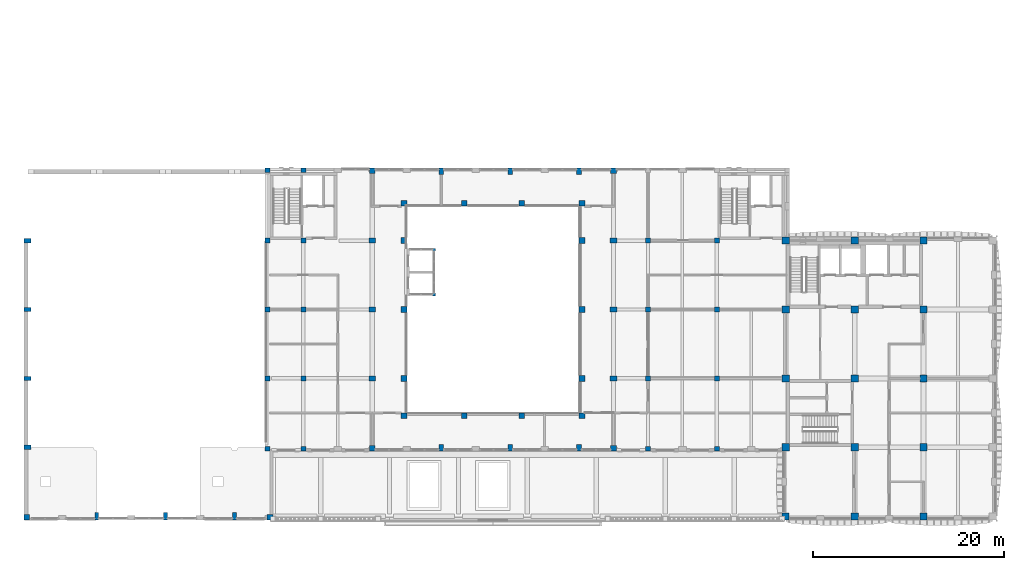
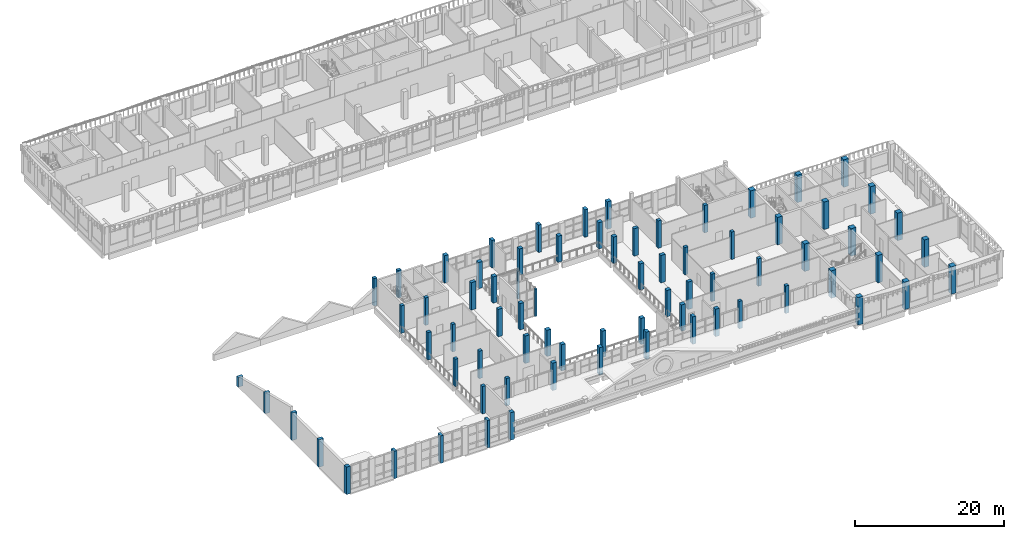
# One storey, part 1 of 58: 74 columns.
"""IFC4 building model written with IfcOpenShell, lengths in metres."""

from ifc_helpers import new_model, si_unit, direction, frame, origin, origin_2d, place, context, subcontext, project, spatial, rectangle, extrude, material, material_profile, profile_set, type_object, element, save


model = new_model("IFC4")

# Units and contexts
model_context = context("Model", 3, precision=1e-05, world=origin(), true_north=direction((0.0, 1.0)))
body_context = subcontext(model_context, "Body", "Model", "MODEL_VIEW")
ifc_project = project(units=[si_unit("LENGTHUNIT", "METRE"), si_unit("AREAUNIT", "SQUARE_METRE"), si_unit("VOLUMEUNIT", "CUBIC_METRE"), si_unit("PLANEANGLEUNIT", "RADIAN"), si_unit("MASSUNIT", "GRAM", prefix="KILO")], contexts=[model_context])

# Site, building, storey
site_placement = place(None, origin())
site = spatial("IfcSite", under=ifc_project, at=site_placement, CompositionType="ELEMENT")
building_placement = place(site_placement, origin())
building = spatial("IfcBuilding", under=site, at=building_placement, Name="Ussher Court Research Institute", CompositionType="ELEMENT")
storey_placement = place(building_placement, frame((0.0, 0.0, 9.89990234375)))
storey = spatial("IfcBuildingStorey", under=building, at=storey_placement, Name="L02", CompositionType="ELEMENT", Elevation=9.89990234375)

# Columns
ifc_material_1 = material(Name="Concrete C35/45", Category="concrete")
ifc_material_profile_1 = material_profile(ifc_material_1, rectangle(XDim=0.300048828125, YDim=0.300048828125, at=origin_2d()), Name="RC 300x300")
ifc_profile_set_1 = profile_set([ifc_material_profile_1], Name="Concrete C35/45")
column_type_1 = type_object("IfcColumnType", Name="Lift shaft corner column 300x300 RC", PredefinedType="COLUMN", material=ifc_profile_set_1)
for number, where, z_axis, x_axis, name in (
    (1, (45.449951171875, 27.14990234375, 0.0), (0.0, 0.0, 1.0), (1.0, 0.0, 0.0), "Lift shaft column atrium L02"),
    (2, (45.449951171875, 31.85009765625, 0.0), (0.0, 0.0, 1.0), (1.0, 0.0, 0.0), "Lift shaft column atrium L02"),
):
    element("IfcColumn", number, at=place(storey_placement, frame(where, z_axis=z_axis, x_axis=x_axis)), inside=storey, type_object=column_type_1, Name=name, PredefinedType="COLUMN", context=body_context, shape_type="SweptSolid", body=[
        extrude(rectangle(XDim=0.300048828125, YDim=0.300048828125, at=origin_2d()), origin(), (0.0, 0.0, 1.0), 4.5),
    ])
ifc_material_2 = material(Name="Concrete C35/45", Category="concrete")
ifc_material_profile_2 = material_profile(ifc_material_2, rectangle(XDim=0.39990234375, YDim=0.800048828125, at=origin_2d()), Name="RC 400x800")
ifc_profile_set_2 = profile_set([ifc_material_profile_2], Name="Concrete C35/45")
column_type_2 = type_object("IfcColumnType", Name="RC 400x800 column", PredefinedType="COLUMN", material=ifc_profile_set_2)
for number, where, z_axis, x_axis, name in (
    (3, (10.199951171875, 4.0, 0.0), (0.0, 0.0, 1.0), (1.0, 0.0, 0.0), "CF1 V1 L02-01"),
    (4, (17.39990234375, 4.0, 0.0), (0.0, 0.0, 1.0), (1.0, 0.0, 0.0), "CF1 V1 L02-02"),
    (5, (24.60009765625, 4.0, 0.0), (0.0, 0.0, 1.0), (1.0, 0.0, 0.0), "CF1 V1 L02-03"),
):
    element("IfcColumn", number, at=place(storey_placement, frame(where, z_axis=z_axis, x_axis=x_axis)), inside=storey, type_object=column_type_2, Name=name, PredefinedType="COLUMN", context=body_context, shape_type="SweptSolid", body=[
        extrude(rectangle(XDim=0.39990234375, YDim=0.800048828125, at=origin_2d()), origin(), (0.0, 0.0, 1.0), 4.5),
    ])
ifc_material_3 = material(Name="Concrete C35/45", Category="concrete")
ifc_material_profile_3 = material_profile(ifc_material_3, rectangle(XDim=0.5, YDim=0.5, at=origin_2d()), Name="RC 500x500")
ifc_profile_set_3 = profile_set([ifc_material_profile_3], Name="Concrete C35/45")
column_type_3 = type_object("IfcColumnType", Name="RC 500x500 column", PredefinedType="COLUMN", material=ifc_profile_set_3)
for number, where, z_axis, x_axis, name in (
    (6, (28.050048828125, 11.050048828125, 0.0), (0.0, 0.0, 1.0), (1.0, 0.0, 0.0), "C5 V7 L02-01"),
    (7, (28.050048828125, 18.39990234375, 0.0), (0.0, 0.0, 1.0), (1.0, 0.0, 0.0), "C5 V7 L02-02"),
    (8, (28.050048828125, 25.60009765625, 0.0), (0.0, 0.0, 1.0), (1.0, 0.0, 0.0), "C5 V7 L02-03"),
    (9, (28.050048828125, 32.800048828125, 0.0), (0.0, 0.0, 1.0), (1.0, 0.0, 0.0), "C5 V7 L02-04"),
    (10, (28.050048828125, 40.14990234375, 0.0), (0.0, 0.0, 1.0), (1.0, 0.0, 0.0), "C5 V7 L02-05"),
    (11, (31.800048828125, 11.050048828125, 0.0), (0.0, 0.0, 1.0), (1.0, 0.0, 0.0), "C5 V7 L02-06"),
    (12, (31.800048828125, 18.39990234375, 0.0), (0.0, 0.0, 1.0), (1.0, 0.0, 0.0), "C5 V7 L02-07"),
    (13, (31.800048828125, 25.60009765625, 0.0), (0.0, 0.0, 1.0), (1.0, 0.0, 0.0), "C5 V7 L02-08"),
    (14, (31.800048828125, 32.800048828125, 0.0), (0.0, 0.0, 1.0), (1.0, 0.0, 0.0), "C5 V7 L02-09"),
    (15, (31.800048828125, 40.14990234375, 0.0), (0.0, 0.0, 1.0), (1.0, 0.0, 0.0), "C5 V7 L02-10"),
    (16, (67.800048828125, 11.050048828125, 0.0), (0.0, 0.0, 1.0), (1.0, 0.0, 0.0), "C5 V7 L02-11"),
    (17, (67.800048828125, 18.39990234375, 0.0), (0.0, 0.0, 1.0), (1.0, 0.0, 0.0), "C5 V7 L02-12"),
    (18, (67.800048828125, 25.60009765625, 0.0), (0.0, 0.0, 1.0), (1.0, 0.0, 0.0), "C5 V7 L02-13"),
    (19, (67.800048828125, 32.800048828125, 0.0), (0.0, 0.0, 1.0), (1.0, 0.0, 0.0), "C5 V7 L02-14"),
    (20, (75.0, 11.050048828125, 0.0), (0.0, 0.0, 1.0), (1.0, 0.0, 0.0), "C5 V7 L02-16"),
    (21, (75.0, 18.39990234375, 0.0), (0.0, 0.0, 1.0), (1.0, 0.0, 0.0), "C5 V7 L02-17"),
    (22, (75.0, 25.60009765625, 0.0), (0.0, 0.0, 1.0), (1.0, 0.0, 0.0), "C5 V7 L02-18"),
    (23, (75.0, 32.800048828125, 0.0), (0.0, 0.0, 1.0), (1.0, 0.0, 0.0), "C5 V7 L02-19"),
):
    element("IfcColumn", number, at=place(storey_placement, frame(where, z_axis=z_axis, x_axis=x_axis)), inside=storey, type_object=column_type_3, Name=name, PredefinedType="COLUMN", context=body_context, shape_type="SweptSolid", body=[
        extrude(rectangle(XDim=0.5, YDim=0.5, at=origin_2d()), origin(), (0.0, 0.0, 1.0), 4.5),
    ])
ifc_material_4 = material(Name="Concrete C35/45", Category="concrete")
ifc_material_profile_4 = material_profile(ifc_material_4, rectangle(XDim=0.5, YDim=0.699951171875, at=origin_2d()), Name="RC 500x700")
ifc_profile_set_4 = profile_set([ifc_material_profile_4], Name="Concrete C35/45")
column_type_4 = type_object("IfcColumnType", Name="RC 500x700 column", PredefinedType="COLUMN", material=ifc_profile_set_4)
for number, where, z_axis, x_axis, name in (
    (24, (46.199951171875, 11.14990234375, 0.0), (0.0, 0.0, 1.0), (1.0, 0.0, 0.0), "CF2 V2 L02-01"),
    (25, (46.199951171875, 40.050048828125, 0.0), (0.0, 0.0, 1.0), (1.0, 0.0, 0.0), "CF2 V2 L02-02"),
    (26, (53.39990234375, 11.14990234375, 0.0), (0.0, 0.0, 1.0), (1.0, 0.0, 0.0), "CF2 V2 L02-03"),
    (27, (53.39990234375, 40.050048828125, 0.0), (0.0, 0.0, 1.0), (1.0, 0.0, 0.0), "CF2 V2 L02-04"),
    (28, (60.60009765625, 11.14990234375, 0.0), (0.0, 0.0, 1.0), (1.0, 0.0, 0.0), "CF2 V2 L02-05"),
    (29, (60.60009765625, 40.050048828125, 0.0), (0.0, 0.0, 1.0), (1.0, 0.0, 0.0), "CF2 V2 L02-06"),
):
    element("IfcColumn", number, at=place(storey_placement, frame(where, z_axis=z_axis, x_axis=x_axis)), inside=storey, type_object=column_type_4, Name=name, PredefinedType="COLUMN", context=body_context, shape_type="SweptSolid", body=[
        extrude(rectangle(XDim=0.5, YDim=0.699951171875, at=origin_2d()), origin(), (0.0, 0.0, 1.0), 4.5),
    ])
ifc_material_5 = material(Name="Concrete C35/45", Category="concrete")
ifc_material_profile_5 = material_profile(ifc_material_5, rectangle(XDim=0.60009765625, YDim=0.60009765625, at=origin_2d()), Name="RC 600x600")
ifc_profile_set_5 = profile_set([ifc_material_profile_5], Name="Concrete C35/45")
column_type_5 = type_object("IfcColumnType", Name="RC 600x600 column", PredefinedType="COLUMN", material=ifc_profile_set_5)
for number, where, z_axis, x_axis, name in (
    (30, (39.0, 11.10009765625, 0.0), (0.0, 0.0, 1.0), (1.0, 0.0, 0.0), "C6 V2 L02-01"),
    (31, (39.0, 40.10009765625, 0.0), (0.0, 0.0, 1.0), (1.0, 0.0, 0.0), "C6 V2 L02-02"),
    (32, (64.199951171875, 11.10009765625, 0.0), (0.0, 0.0, 1.0), (1.0, 0.0, 0.0), "C6 V2 L02-03"),
    (33, (64.199951171875, 40.10009765625, 0.0), (0.0, 0.0, 1.0), (1.0, 0.0, 0.0), "C6 V2 L02-04"),
):
    element("IfcColumn", number, at=place(storey_placement, frame(where, z_axis=z_axis, x_axis=x_axis)), inside=storey, type_object=column_type_5, Name=name, PredefinedType="COLUMN", context=body_context, shape_type="SweptSolid", body=[
        extrude(rectangle(XDim=0.60009765625, YDim=0.60009765625, at=origin_2d()), origin(), (0.0, 0.0, 1.0), 4.5),
    ])
for number, where, z_axis, x_axis, name in (
    (34, (42.300048828125, 14.5, 0.0), (0.0, 0.0, 1.0), (1.0, 0.0, 0.0), "C6 V2 L02-05"),
    (35, (42.300048828125, 18.39990234375, 0.0), (0.0, 0.0, 1.0), (1.0, 0.0, 0.0), "C6 V2 L02-06"),
    (36, (42.300048828125, 25.60009765625, 0.0), (0.0, 0.0, 1.0), (1.0, 0.0, 0.0), "C6 V2 L02-07"),
    (37, (42.300048828125, 32.800048828125, 0.0), (0.0, 0.0, 1.0), (1.0, 0.0, 0.0), "C6 V2 L02-08"),
    (38, (42.300048828125, 36.699951171875, 0.0), (0.0, 0.0, 1.0), (1.0, 0.0, 0.0), "C6 V2 L02-09"),
    (39, (60.89990234375, 14.5, 0.0), (0.0, 0.0, 1.0), (1.0, 0.0, 0.0), "C6 V2 L02-10"),
    (40, (60.89990234375, 18.39990234375, 0.0), (0.0, 0.0, 1.0), (1.0, 0.0, 0.0), "C6 V2 L02-11"),
    (41, (60.89990234375, 25.60009765625, 0.0), (0.0, 0.0, 1.0), (1.0, 0.0, 0.0), "C6 V2 L02-12"),
    (42, (60.89990234375, 32.800048828125, 0.0), (0.0, 0.0, 1.0), (1.0, 0.0, 0.0), "C6 V2 L02-13"),
    (43, (60.89990234375, 36.699951171875, 0.0), (0.0, 0.0, 1.0), (1.0, 0.0, 0.0), "C6 V2 L02-14"),
    (44, (48.60009765625, 14.5, 0.0), (0.0, 0.0, 1.0), (1.0, 0.0, 0.0), "C6 V2 L02-15"),
    (45, (54.60009765625, 14.5, 0.0), (0.0, 0.0, 1.0), (1.0, 0.0, 0.0), "C6 V2 L02-16"),
    (46, (48.60009765625, 36.699951171875, 0.0), (0.0, 0.0, 1.0), (1.0, 0.0, 0.0), "C6 V2 L02-17"),
    (47, (54.60009765625, 36.699951171875, 0.0), (0.0, 0.0, 1.0), (1.0, 0.0, 0.0), "C6 V2 L02-18"),
):
    element("IfcColumn", number, at=place(storey_placement, frame(where, z_axis=z_axis, x_axis=x_axis)), inside=storey, type_object=column_type_5, Name=name, PredefinedType="COLUMN", context=body_context, shape_type="SweptSolid", body=[
        extrude(rectangle(XDim=0.60009765625, YDim=0.60009765625, at=origin_2d()), origin(), (0.0, 0.0, 1.0), 4.300048828125),
    ])
for number, where, z_axis, x_axis, name in (
    (48, (2.89990234375, 3.89990234375, 0.0), (0.0, 0.0, 1.0), (1.0, 0.0, 0.0), "C6 V1 L02-01"),
    (49, (28.300048828125, 3.89990234375, 0.0), (0.0, 0.0, 1.0), (1.0, 0.0, 0.0), "C6 V1 L02-02"),
):
    element("IfcColumn", number, at=place(storey_placement, frame(where, z_axis=z_axis, x_axis=x_axis)), inside=storey, type_object=column_type_5, Name=name, PredefinedType="COLUMN", context=body_context, shape_type="SweptSolid", body=[
        extrude(rectangle(XDim=0.60009765625, YDim=0.60009765625, at=origin_2d()), origin(), (0.0, 0.0, 1.0), 4.5),
    ])
ifc_material_6 = material(Name="Concrete C35/45", Category="concrete")
ifc_material_profile_6 = material_profile(ifc_material_6, rectangle(XDim=0.699951171875, YDim=0.5, at=origin_2d()), Name="RC 700x500")
ifc_profile_set_6 = profile_set([ifc_material_profile_6], Name="Concrete C35/45")
column_type_6 = type_object("IfcColumnType", Name="RC 700x500 column", PredefinedType="COLUMN", material=ifc_profile_set_6)
for number, where, z_axis, x_axis, name in (
    (50, (39.0, 18.39990234375, 0.0), (0.0, 0.0, 1.0), (1.0, 0.0, 0.0), "CF3 V2 L02-01"),
    (51, (39.0, 25.60009765625, 0.0), (0.0, 0.0, 1.0), (1.0, 0.0, 0.0), "CF3 V2 L02-02"),
    (52, (39.0, 32.800048828125, 0.0), (0.0, 0.0, 1.0), (1.0, 0.0, 0.0), "CF3 V2 L02-03"),
    (53, (64.199951171875, 18.39990234375, 0.0), (0.0, 0.0, 1.0), (1.0, 0.0, 0.0), "CF3 V2 L02-04"),
    (54, (64.199951171875, 25.60009765625, 0.0), (0.0, 0.0, 1.0), (1.0, 0.0, 0.0), "CF3 V2 L02-05"),
    (55, (64.199951171875, 32.800048828125, 0.0), (0.0, 0.0, 1.0), (1.0, 0.0, 0.0), "CF3 V2 L02-06"),
):
    element("IfcColumn", number, at=place(storey_placement, frame(where, z_axis=z_axis, x_axis=x_axis)), inside=storey, type_object=column_type_6, Name=name, PredefinedType="COLUMN", context=body_context, shape_type="SweptSolid", body=[
        extrude(rectangle(XDim=0.699951171875, YDim=0.5, at=origin_2d()), origin(), (0.0, 0.0, 1.0), 4.5),
    ])
ifc_material_7 = material(Name="Concrete C35/45", Category="concrete")
ifc_material_profile_7 = material_profile(ifc_material_7, rectangle(XDim=0.75, YDim=0.449951171875, at=origin_2d()), Name="RC 750x450")
ifc_profile_set_7 = profile_set([ifc_material_profile_7], Name="Concrete C35/45")
column_type_7 = type_object("IfcColumnType", Name="RC 750x450 column", PredefinedType="COLUMN", material=ifc_profile_set_7)
for number, where, z_axis, x_axis, name in (
    (56, (2.97509765625, 11.199951171875, 0.0), (0.0, 0.0, 1.0), (1.0, 0.0, 0.0), "CF4 V1 L02-01"),
    (57, (2.97509765625, 18.39990234375, 0.0), (0.0, 0.0, 1.0), (1.0, 0.0, 0.0), "CF4 V1 L02-02"),
):
    element("IfcColumn", number, at=place(storey_placement, frame(where, z_axis=z_axis, x_axis=x_axis)), inside=storey, type_object=column_type_7, Name=name, PredefinedType="COLUMN", context=body_context, shape_type="SweptSolid", body=[
        extrude(rectangle(XDim=0.75, YDim=0.449951171875, at=origin_2d()), origin(), (0.0, 0.0, 1.0), 4.5),
    ])
column_1_placement = place(storey_placement, frame((2.97509765625, 25.60009765625, 0.0), z_axis=(0.0, 0.0, 1.0), x_axis=(1.0, 0.0, 0.0)))
element("IfcColumn", 58, at=column_1_placement, inside=storey, type_object=column_type_7, Name="CF4 V1 L02-03", PredefinedType="COLUMN", context=body_context, shape_type="SweptSolid", body=[
    extrude(rectangle(XDim=0.75, YDim=0.449951171875, at=origin_2d()), origin(), (0.0, 0.0, 1.0), 3.377685546875),
])
column_2_placement = place(storey_placement, frame((2.97509765625, 32.800048828125, 0.0), z_axis=(0.0, 0.0, 1.0), x_axis=(1.0, 0.0, 0.0)))
element("IfcColumn", 59, at=column_2_placement, inside=storey, type_object=column_type_7, Name="CF4 V1 L02-04", PredefinedType="COLUMN", context=body_context, shape_type="SweptSolid", body=[
    extrude(rectangle(XDim=0.75, YDim=0.449951171875, at=origin_2d()), origin(), (0.0, 0.0, 1.0), 1.57763671875),
])
ifc_material_8 = material(Name="Concrete C35/45", Category="concrete")
ifc_material_profile_8 = material_profile(ifc_material_8, rectangle(XDim=0.75, YDim=0.75, at=origin_2d()), Name="RC 750x750")
ifc_profile_set_8 = profile_set([ifc_material_profile_8], Name="Concrete C35/45")
column_type_8 = type_object("IfcColumnType", Name="RC 750x750 column", PredefinedType="COLUMN", material=ifc_profile_set_8)
for number, where, z_axis, x_axis, name in (
    (60, (82.175048828125, 3.97509765625, 0.0), (0.0, 0.0, 1.0), (1.0, 0.0, 0.0), "C75 V4 L02-01"),
    (61, (82.199951171875, 11.199951171875, 0.0), (0.0, 0.0, 1.0), (1.0, 0.0, 0.0), "C75 V4 L02-02"),
    (62, (82.199951171875, 18.39990234375, 0.0), (0.0, 0.0, 1.0), (1.0, 0.0, 0.0), "C75 V4 L02-03"),
    (63, (82.199951171875, 25.60009765625, 0.0), (0.0, 0.0, 1.0), (1.0, 0.0, 0.0), "C75 V4 L02-04"),
    (64, (82.199951171875, 32.800048828125, 0.0), (0.0, 0.0, 1.0), (1.0, 0.0, 0.0), "C75 V4 L02-05"),
    (65, (89.39990234375, 3.97509765625, 0.0), (0.0, 0.0, 1.0), (1.0, 0.0, 0.0), "C75 V4 L02-06"),
    (66, (89.39990234375, 11.199951171875, 0.0), (0.0, 0.0, 1.0), (1.0, 0.0, 0.0), "C75 V4 L02-07"),
    (67, (89.39990234375, 18.39990234375, 0.0), (0.0, 0.0, 1.0), (1.0, 0.0, 0.0), "C75 V4 L02-08"),
    (68, (89.39990234375, 25.60009765625, 0.0), (0.0, 0.0, 1.0), (1.0, 0.0, 0.0), "C75 V4 L02-09"),
    (69, (89.39990234375, 32.824951171875, 0.0), (0.0, 0.0, 1.0), (1.0, 0.0, 0.0), "C75 V4 L02-10"),
    (70, (96.60009765625, 3.97509765625, 0.0), (0.0, 0.0, 1.0), (1.0, 0.0, 0.0), "C75 V4 L02-11"),
    (71, (96.60009765625, 11.199951171875, 0.0), (0.0, 0.0, 1.0), (1.0, 0.0, 0.0), "C75 V4 L02-12"),
    (72, (96.60009765625, 18.39990234375, 0.0), (0.0, 0.0, 1.0), (1.0, 0.0, 0.0), "C75 V4 L02-13"),
    (73, (96.60009765625, 25.60009765625, 0.0), (0.0, 0.0, 1.0), (1.0, 0.0, 0.0), "C75 V4 L02-14"),
    (74, (96.60009765625, 32.824951171875, 0.0), (0.0, 0.0, 1.0), (1.0, 0.0, 0.0), "C75 V4 L02-15"),
):
    element("IfcColumn", number, at=place(storey_placement, frame(where, z_axis=z_axis, x_axis=x_axis)), inside=storey, type_object=column_type_8, Name=name, PredefinedType="COLUMN", context=body_context, shape_type="SweptSolid", body=[
        extrude(rectangle(XDim=0.75, YDim=0.75, at=origin_2d()), origin(), (0.0, 0.0, 1.0), 4.5),
    ])

save(model, "model.ifc")
